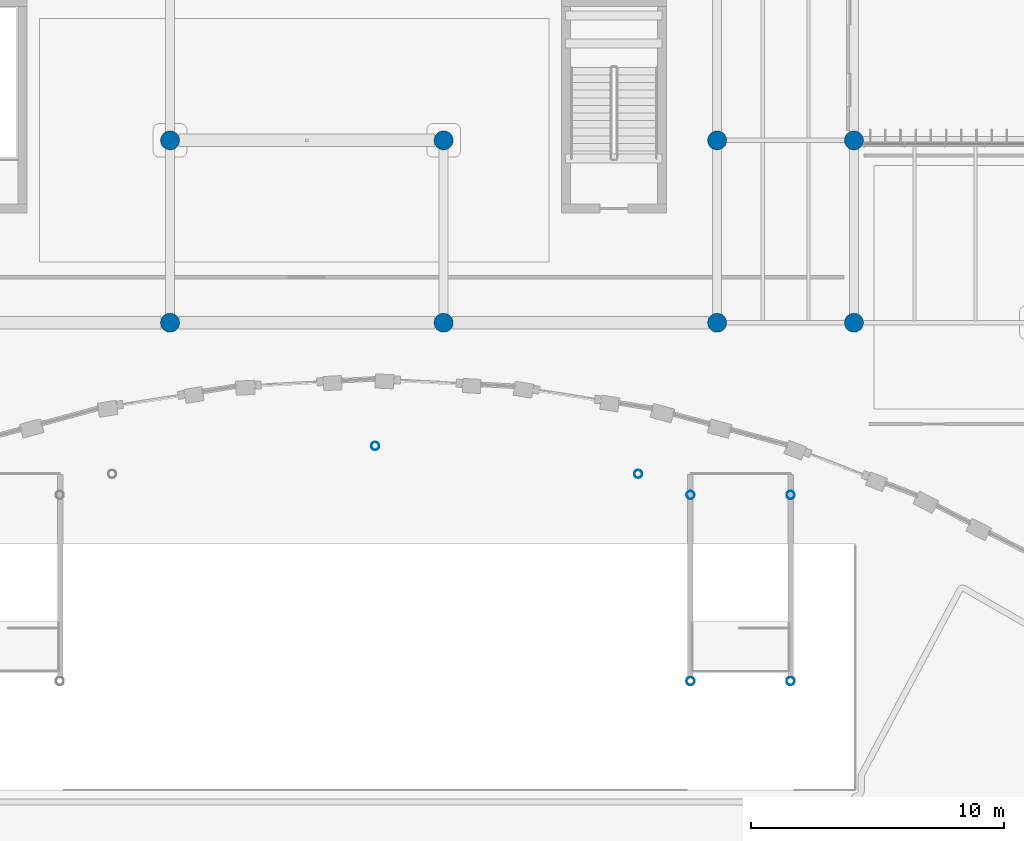
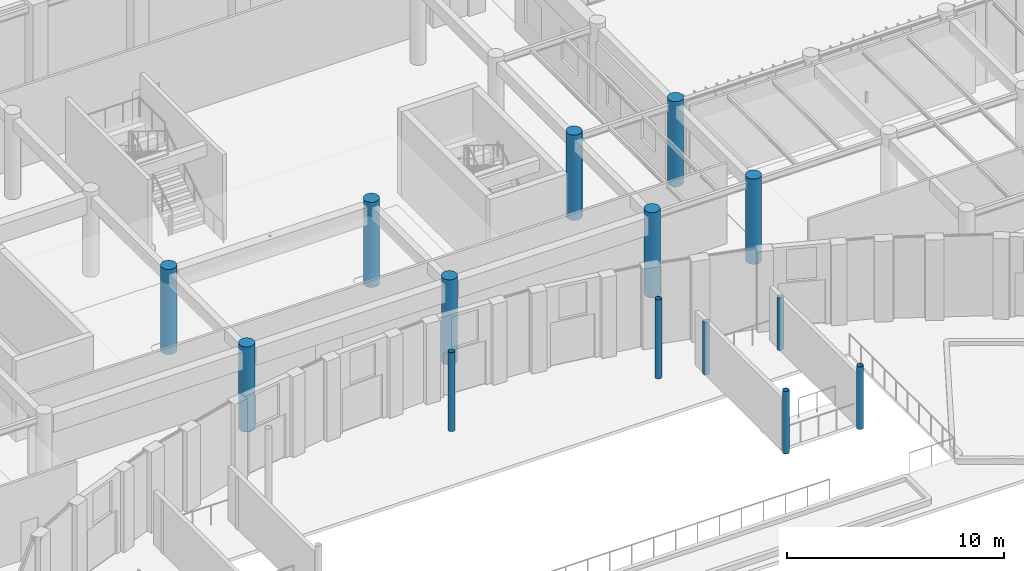
# One storey, part 5 of 122: 14 columns.
"""IFC4 building model written with IfcOpenShell, lengths in metres."""

from ifc_helpers import new_model, si_unit, direction, frame, origin, origin_2d, place, context, subcontext, project, spatial, circle, hollow_circle, extrude, material, material_profile, profile_set, type_object, element, save


model = new_model("IFC4")

# Units and contexts
model_context = context("Model", 3, precision=1e-05, world=origin(), true_north=direction((0.0, 1.0)))
body_context = subcontext(model_context, "Body", "Model", "MODEL_VIEW")
ifc_project = project(units=[si_unit("LENGTHUNIT", "METRE"), si_unit("AREAUNIT", "SQUARE_METRE"), si_unit("VOLUMEUNIT", "CUBIC_METRE"), si_unit("PLANEANGLEUNIT", "RADIAN"), si_unit("MASSUNIT", "GRAM", prefix="KILO")], contexts=[model_context])

# Site, building, storey
site_placement = place(None, origin())
site = spatial("IfcSite", under=ifc_project, at=site_placement, CompositionType="ELEMENT")
building_placement = place(site_placement, origin())
building = spatial("IfcBuilding", under=site, at=building_placement, Name="Tazoul Stagehouse", CompositionType="ELEMENT")
storey_placement = place(building_placement, origin())
storey = spatial("IfcBuildingStorey", under=building, at=storey_placement, Name="L00", CompositionType="ELEMENT", Elevation=0.0)

# Columns
ifc_material_1 = material(Name="Concrete C40/50", Category="concrete")
ifc_material_profile_1 = material_profile(ifc_material_1, circle(Radius=0.375, at=origin_2d()), Name="RC D750")
ifc_profile_set_1 = profile_set([ifc_material_profile_1], Name="Concrete C40/50")
column_type_1 = type_object("IfcColumnType", Name="RC Circular Column D750", PredefinedType="COLUMN", material=ifc_profile_set_1)
for number, where, z_axis, x_axis, name in (
    (1, (68.39990234375, 23.0, 0.0), (0.0, 0.0, 1.0), (1.0, 0.0, 0.0), "L00 Column C-08 at 10/D"),
    (2, (68.39990234375, 30.199951171875, 0.0), (0.0, 0.0, 1.0), (1.0, 0.0, 0.0), "L00 Column C-08 at 10/E"),
    (3, (79.199951171875, 23.0, 0.0), (0.0, 0.0, 1.0), (1.0, 0.0, 0.0), "L00 Column C-08 at 12/D"),
    (4, (79.199951171875, 30.199951171875, 0.0), (0.0, 0.0, 1.0), (1.0, 0.0, 0.0), "L00 Column C-08 at 12/E"),
    (5, (90.0, 23.0, 0.0), (0.0, 0.0, 1.0), (1.0, 0.0, 0.0), "L00 Column C-08 at 14/D"),
    (6, (90.0, 30.199951171875, 0.0), (0.0, 0.0, 1.0), (1.0, 0.0, 0.0), "L00 Column C-08 at 14/E"),
    (7, (95.39990234375, 23.0, 0.0), (0.0, 0.0, 1.0), (1.0, 0.0, 0.0), "L00 Column C-08 at 15/D"),
):
    element("IfcColumn", number, at=place(storey_placement, frame(where, z_axis=z_axis, x_axis=x_axis)), inside=storey, type_object=column_type_1, Name=name, PredefinedType="COLUMN", context=body_context, shape_type="SweptSolid", body=[
        extrude(circle(Radius=0.375, at=origin_2d()), origin(), (0.0, 0.0, 1.0), 4.800048828125),
    ])
ifc_material_profile_2 = material_profile(ifc_material_1, circle(Radius=0.375, at=origin_2d()), Name="RC D750")
ifc_profile_set_2 = profile_set([ifc_material_profile_2], Name="Concrete C40/50")
column_type_2 = type_object("IfcColumnType", Name="RC Circular Column D750 (Exterior)", PredefinedType="COLUMN", material=ifc_profile_set_2)
column_placement = place(storey_placement, frame((95.39990234375, 30.199951171875, 0.0), z_axis=(0.0, 0.0, 1.0), x_axis=(1.0, 0.0, 0.0)))
element("IfcColumn", 8, at=column_placement, inside=storey, type_object=column_type_2, Name="L00 Column C-08E at 15/E", PredefinedType="COLUMN", context=body_context, shape_type="SweptSolid", body=[
    extrude(circle(Radius=0.375, at=origin_2d()), origin(), (0.0, 0.0, 1.0), 4.800048828125),
])
ifc_material_2 = material(Name="Steel S355", Category="steel")
ifc_material_profile_3 = material_profile(ifc_material_2, hollow_circle(Radius=0.161865234375, WallThickness=0.012451171875, at=origin_2d()), Name="CHS 323.9x12.5")
ifc_profile_set_3 = profile_set([ifc_material_profile_3], Name="Steel S355")
column_type_3 = type_object("IfcColumnType", Name="Steel Arcade Column CHS 323.9x12.5 (Exterior)", PredefinedType="COLUMN", material=ifc_profile_set_3)
for number, where, z_axis, x_axis, name in (
    (9, (88.949951171875, 8.85009765625, 0.0), (0.0, 0.0, 1.0), (1.0, 0.0, 0.0), "L00 Plaza Stair Pavilion Column SC-07E (AMP-E-1)"),
    (10, (92.89990234375, 8.85009765625, 0.0), (0.0, 0.0, 1.0), (1.0, 0.0, 0.0), "L00 Plaza Stair Pavilion Column SC-07E (AMP-E-2)"),
):
    element("IfcColumn", number, at=place(storey_placement, frame(where, z_axis=z_axis, x_axis=x_axis)), inside=storey, type_object=column_type_3, Name=name, PredefinedType="COLUMN", context=body_context, shape_type="SweptSolid", body=[
        extrude(hollow_circle(Radius=0.161865234375, WallThickness=0.012451171875, at=origin_2d()), origin(), (0.0, 0.0, 1.0), 3.52001953125),
    ])
for number, where, z_axis, x_axis, name in (
    (11, (88.949951171875, 16.199951171875, 0.0), (0.0, 0.0, 1.0), (1.0, 0.0, 0.0), "L00 Plaza Stair Pavilion Column SC-07E (AMP-E-3)"),
    (12, (92.89990234375, 16.199951171875, 0.0), (0.0, 0.0, 1.0), (1.0, 0.0, 0.0), "L00 Plaza Stair Pavilion Column SC-07E (AMP-E-4)"),
):
    element("IfcColumn", number, at=place(storey_placement, frame(where, z_axis=z_axis, x_axis=x_axis)), inside=storey, type_object=column_type_3, Name=name, PredefinedType="COLUMN", context=body_context, shape_type="SweptSolid", body=[
        extrude(hollow_circle(Radius=0.161865234375, WallThickness=0.012451171875, at=origin_2d()), origin(), (0.0, 0.0, 1.0), 2.93994140625),
    ])
for number, where, z_axis, x_axis, name in (
    (13, (76.5, 18.135009765625, 0.0), (0.0, 0.0, 1.0), (1.0, 0.0, 0.0), "L00 Entrance Canopy Slender Column SC-07E (2)"),
    (14, (86.884765625, 17.030029296875, 0.0), (0.0, 0.0, 1.0), (1.0, 0.0, 0.0), "L00 Entrance Canopy Slender Column SC-07E (3)"),
):
    element("IfcColumn", number, at=place(storey_placement, frame(where, z_axis=z_axis, x_axis=x_axis)), inside=storey, type_object=column_type_3, Name=name, PredefinedType="COLUMN", context=body_context, shape_type="SweptSolid", body=[
        extrude(hollow_circle(Radius=0.161865234375, WallThickness=0.012451171875, at=origin_2d()), origin(), (0.0, 0.0, 1.0), 4.43994140625),
    ])

save(model, "model.ifc")
